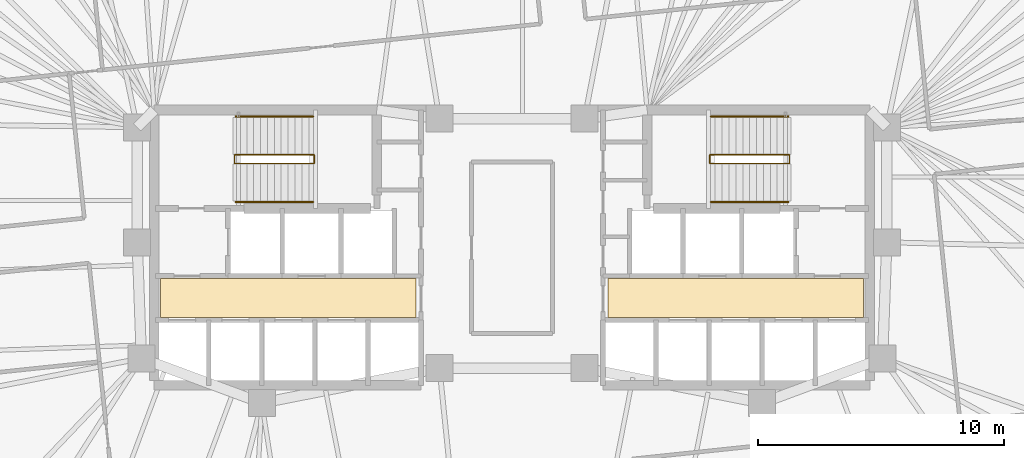
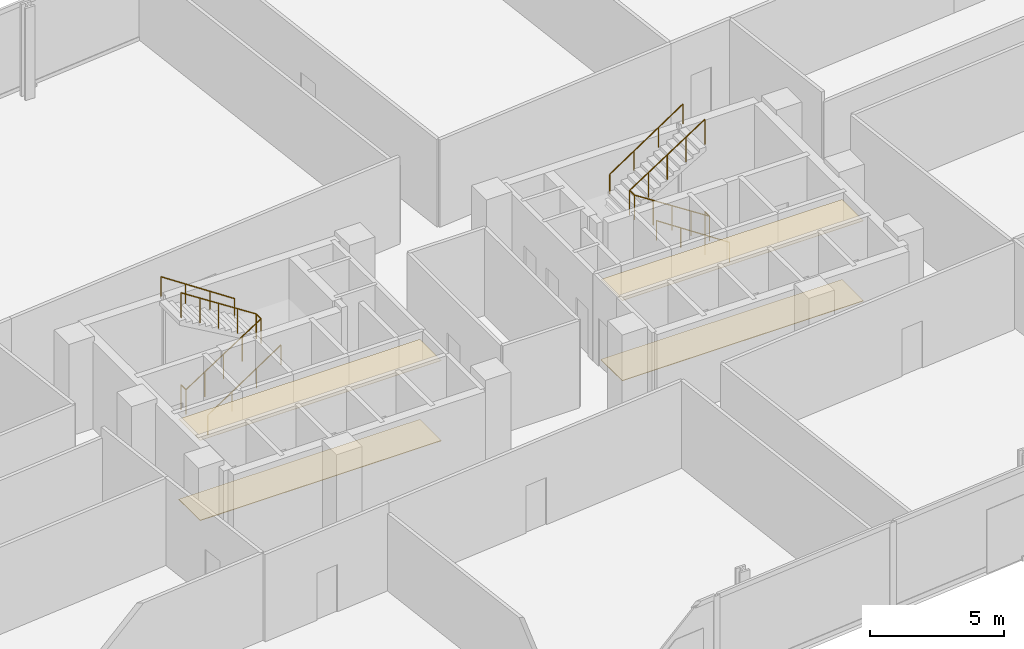
# One storey, part 16 of 16: 6 railings, 4 coverings.
"""IFC4 building model written with IfcOpenShell, lengths in metres."""

from ifc_helpers import new_model, si_unit, direction, frame, origin, origin_2d, place, context, subcontext, project, spatial, polyline, circle, outline, extrude, material, layer, layer_set, type_object, element, save


model = new_model("IFC4")

# Units and contexts
model_context = context("Model", 3, precision=1e-05, world=origin(), true_north=direction((0.0, 1.0)))
body_context = subcontext(model_context, "Body", "Model", "MODEL_VIEW")
ifc_project = project(units=[si_unit("LENGTHUNIT", "METRE"), si_unit("AREAUNIT", "SQUARE_METRE"), si_unit("VOLUMEUNIT", "CUBIC_METRE"), si_unit("PLANEANGLEUNIT", "RADIAN"), si_unit("MASSUNIT", "GRAM", prefix="KILO")], contexts=[model_context])

# Site, building, storey
site_placement = place(None, origin())
site = spatial("IfcSite", under=ifc_project, at=site_placement, CompositionType="ELEMENT")
building_placement = place(site_placement, origin())
building = spatial("IfcBuilding", under=site, at=building_placement, Name="Menara Jurai Vektor", CompositionType="ELEMENT")
storey_placement = place(building_placement, frame((0.0, 0.0, 83.199951171875)))
storey = spatial("IfcBuildingStorey", under=building, at=storey_placement, Name="L20", CompositionType="ELEMENT", Elevation=83.199951171875)

# Coverings
ifc_material_1 = material(Name="Mineral Fibre Acoustic Ceiling Tile", Category="gypsum")
ifc_layer_1 = layer(ifc_material_1, 0.02001953125)
ifc_layer_set_1 = layer_set([ifc_layer_1], Name="Mineral Fibre Acoustic Ceiling Tile")
covering_type_1 = type_object("IfcCoveringType", Name="COV-CEILING-ACOUSTIC", PredefinedType="CEILING", material=ifc_layer_set_1)
covering_1_placement = place(storey_placement, frame((0.0, 0.0, 3.655029296875)))
element("IfcCovering", 1, at=covering_1_placement, inside=storey, type_object=covering_type_1, Name="Acoustic Lift Lobby Ceiling W L20", PredefinedType="CEILING", context=body_context, shape_type="SweptSolid", body=[
    extrude(outline(polyline([(-14.300048828125, -2.85009765625), (-3.89990234375, -2.85009765625), (-3.89990234375, -1.25), (-14.300048828125, -1.25), (-14.300048828125, -2.85009765625)])), origin(), (0.0, 0.0, 1.0), 0.02001953125),
])
covering_2_placement = place(storey_placement, frame((0.0, 0.0, 3.655029296875)))
element("IfcCovering", 2, at=covering_2_placement, inside=storey, type_object=covering_type_1, Name="Acoustic Lift Lobby Ceiling E L20", PredefinedType="CEILING", context=body_context, shape_type="SweptSolid", body=[
    extrude(outline(polyline([(3.89990234375, -2.85009765625), (14.300048828125, -2.85009765625), (14.300048828125, -1.25), (3.89990234375, -1.25), (3.89990234375, -2.85009765625)])), origin(), (0.0, 0.0, 1.0), 0.02001953125),
])
ifc_material_2 = material(Name="Honed Granite Lobby Flooring", Category="masonry")
ifc_layer_2 = layer(ifc_material_2, 0.02490234375)
ifc_layer_set_2 = layer_set([ifc_layer_2], Name="Honed Granite Lobby Flooring")
covering_type_2 = type_object("IfcCoveringType", Name="COV-FLOOR-STONE", PredefinedType="FLOORING", material=ifc_layer_set_2)
covering_3_placement = place(storey_placement, origin())
element("IfcCovering", 3, at=covering_3_placement, inside=storey, type_object=covering_type_2, Name="Granite Lift Lobby Flooring W L20", PredefinedType="FLOORING", context=body_context, shape_type="SweptSolid", body=[
    extrude(outline(polyline([(-14.300048828125, -2.85009765625), (-3.89990234375, -2.85009765625), (-3.89990234375, -1.25), (-14.300048828125, -1.25), (-14.300048828125, -2.85009765625)])), origin(), (0.0, 0.0, 1.0), 0.025146484375),
])
covering_4_placement = place(storey_placement, origin())
element("IfcCovering", 4, at=covering_4_placement, inside=storey, type_object=covering_type_2, Name="Granite Lift Lobby Flooring E L20", PredefinedType="FLOORING", context=body_context, shape_type="SweptSolid", body=[
    extrude(outline(polyline([(3.89990234375, -2.85009765625), (14.300048828125, -2.85009765625), (14.300048828125, -1.25), (3.89990234375, -1.25), (3.89990234375, -2.85009765625)])), origin(), (0.0, 0.0, 1.0), 0.025146484375),
])

# Railings
ifc_material_3 = material(Name="Painted Galvanised Steel Balustrade", Category="steel")
railing_type_1 = type_object("IfcRailingType", Name="RAIL-STAIR-GUARD", PredefinedType="GUARDRAIL", material=ifc_material_3)
railing_1_placement = place(storey_placement, frame((-11.2900390625, 3.780029296875, 0.0)))
element("IfcRailing", 5, at=railing_1_placement, inside=storey, type_object=railing_type_1, Name="ST1 Stair Guardrail 1 L20", PredefinedType="GUARDRAIL", context=body_context, shape_type="SweptSolid", body=[
    extrude(circle(Radius=0.02392578125, at=origin_2d()), frame((0.0, 0.0, 1.1259765625), z_axis=(0.0, -1.0, 0.0), x_axis=(1.0, 0.0, 0.0)), (0.0, 0.0, 1.0), 0.360107421875),
    extrude(circle(Radius=0.02392578125, at=origin_2d()), frame((0.0, -0.360107421875, 1.1259765625), z_axis=(0.839140694364, 0.0, 0.543914418877), x_axis=(0.0, 1.0, 0.0)), (0.0, 0.0, 1.0), 3.861083984375),
    extrude(circle(Radius=0.02392578125, at=origin_2d()), frame((3.239990234375, -0.360107421875, 3.22607421875), z_axis=(0.0, 1.0, 0.0), x_axis=(-1.0, 0.0, 0.0)), (0.0, 0.0, 1.0), 0.360107421875),
    extrude(circle(Radius=0.02392578125, at=origin_2d()), frame((3.239990234375, 0.0, 3.22607421875), z_axis=(-0.839169554186, 0.0, 0.543869891911), x_axis=(0.0, -1.0, 0.0)), (0.0, 0.0, 1.0), 3.86083984375),
    extrude(circle(Radius=0.02099609375, at=origin_2d()), origin(), (0.0, 0.0, 1.0), 1.101806640625),
    extrude(circle(Radius=0.02099609375, at=origin_2d()), frame((0.0, -0.360107421875, 0.0)), (0.0, 0.0, 1.0), 1.101806640625),
    extrude(circle(Radius=0.02099609375, at=origin_2d()), frame((0.81005859375, -0.360107421875, 0.52490234375)), (0.0, 0.0, 1.0), 1.101806640625),
    extrude(circle(Radius=0.02099609375, at=origin_2d()), frame((1.6201171875, -0.360107421875, 1.050048828125)), (0.0, 0.0, 1.0), 1.101806640625),
    extrude(circle(Radius=0.02099609375, at=origin_2d()), frame((2.429931640625, -0.360107421875, 1.5751953125)), (0.0, 0.0, 1.0), 1.101806640625),
    extrude(circle(Radius=0.02099609375, at=origin_2d()), frame((3.239990234375, -0.360107421875, 2.10009765625)), (0.0, 0.0, 1.0), 1.101806640625),
    extrude(circle(Radius=0.02099609375, at=origin_2d()), frame((3.239990234375, 0.0, 2.10009765625)), (0.0, 0.0, 1.0), 1.101806640625),
    extrude(circle(Radius=0.02099609375, at=origin_2d()), frame((2.429931640625, 0.0, 2.625)), (0.0, 0.0, 1.0), 1.101806640625),
    extrude(circle(Radius=0.02099609375, at=origin_2d()), frame((1.6201171875, 0.0, 3.14990234375)), (0.0, 0.0, 1.0), 1.101806640625),
    extrude(circle(Radius=0.02099609375, at=origin_2d()), frame((0.81005859375, 0.0, 3.675048828125)), (0.0, 0.0, 1.0), 1.101806640625),
    extrude(circle(Radius=0.02099609375, at=origin_2d()), frame((0.0, 0.0, 4.199951171875)), (0.0, 0.0, 1.0), 1.101806640625),
])
railing_2_placement = place(storey_placement, frame((11.2900390625, 3.780029296875, 0.0)))
element("IfcRailing", 6, at=railing_2_placement, inside=storey, type_object=railing_type_1, Name="ST2 Stair Guardrail 1 L20", PredefinedType="GUARDRAIL", context=body_context, shape_type="SweptSolid", body=[
    extrude(circle(Radius=0.02392578125, at=origin_2d()), frame((0.0, 0.0, 1.1259765625), z_axis=(0.0, -1.0, 0.0), x_axis=(1.0, 0.0, 0.0)), (0.0, 0.0, 1.0), 0.360107421875),
    extrude(circle(Radius=0.02392578125, at=origin_2d()), frame((0.0, -0.360107421875, 1.1259765625), z_axis=(-0.839140694364, 0.0, 0.543914418877), x_axis=(0.0, -1.0, 0.0)), (0.0, 0.0, 1.0), 3.861083984375),
    extrude(circle(Radius=0.02392578125, at=origin_2d()), frame((-3.239990234375, -0.360107421875, 3.22607421875), z_axis=(0.0, 1.0, 0.0), x_axis=(-1.0, 0.0, 0.0)), (0.0, 0.0, 1.0), 0.360107421875),
    extrude(circle(Radius=0.02392578125, at=origin_2d()), frame((-3.239990234375, 0.0, 3.22607421875), z_axis=(0.839169554186, 0.0, 0.543869891911), x_axis=(0.0, 1.0, 0.0)), (0.0, 0.0, 1.0), 3.86083984375),
    extrude(circle(Radius=0.02099609375, at=origin_2d()), origin(), (0.0, 0.0, 1.0), 1.101806640625),
    extrude(circle(Radius=0.02099609375, at=origin_2d()), frame((0.0, -0.360107421875, 0.0)), (0.0, 0.0, 1.0), 1.101806640625),
    extrude(circle(Radius=0.02099609375, at=origin_2d()), frame((-0.81005859375, -0.360107421875, 0.52490234375)), (0.0, 0.0, 1.0), 1.101806640625),
    extrude(circle(Radius=0.02099609375, at=origin_2d()), frame((-1.6201171875, -0.360107421875, 1.050048828125)), (0.0, 0.0, 1.0), 1.101806640625),
    extrude(circle(Radius=0.02099609375, at=origin_2d()), frame((-2.429931640625, -0.360107421875, 1.5751953125)), (0.0, 0.0, 1.0), 1.101806640625),
    extrude(circle(Radius=0.02099609375, at=origin_2d()), frame((-3.239990234375, -0.360107421875, 2.10009765625)), (0.0, 0.0, 1.0), 1.101806640625),
    extrude(circle(Radius=0.02099609375, at=origin_2d()), frame((-3.239990234375, 0.0, 2.10009765625)), (0.0, 0.0, 1.0), 1.101806640625),
    extrude(circle(Radius=0.02099609375, at=origin_2d()), frame((-2.429931640625, 0.0, 2.625)), (0.0, 0.0, 1.0), 1.101806640625),
    extrude(circle(Radius=0.02099609375, at=origin_2d()), frame((-1.6201171875, 0.0, 3.14990234375)), (0.0, 0.0, 1.0), 1.101806640625),
    extrude(circle(Radius=0.02099609375, at=origin_2d()), frame((-0.81005859375, 0.0, 3.675048828125)), (0.0, 0.0, 1.0), 1.101806640625),
    extrude(circle(Radius=0.02099609375, at=origin_2d()), frame((0.0, 0.0, 4.199951171875)), (0.0, 0.0, 1.0), 1.101806640625),
])
ifc_material_4 = material(Name="Brushed Stainless Steel Handrail", Category="steel")
railing_type_2 = type_object("IfcRailingType", Name="RAIL-STAIR-HAND", PredefinedType="HANDRAIL", material=ifc_material_4)
railing_3_placement = place(storey_placement, frame((-11.25, 1.860107421875, 0.0)))
element("IfcRailing", 7, at=railing_3_placement, inside=storey, type_object=railing_type_2, Name="ST1 Stair Handrail 1 L20", PredefinedType="HANDRAIL", context=body_context, shape_type="SweptSolid", body=[
    extrude(circle(Radius=0.02392578125, at=origin_2d()), frame((0.0, 0.0, 0.89599609375), z_axis=(0.832841407661, 0.0, 0.553511688843), x_axis=(0.0, 1.0, 0.0)), (0.0, 0.0, 1.0), 3.794189453125),
    extrude(circle(Radius=0.02099609375, at=origin_2d()), origin(), (0.0, 0.0, 1.0), 0.871826171875),
    extrude(circle(Radius=0.02099609375, at=origin_2d()), frame((1.05322265625, 0.0, 0.699951171875)), (0.0, 0.0, 1.0), 0.871826171875),
    extrude(circle(Radius=0.02099609375, at=origin_2d()), frame((2.106689453125, 0.0, 1.400146484375)), (0.0, 0.0, 1.0), 0.871826171875),
    extrude(circle(Radius=0.02099609375, at=origin_2d()), frame((3.159912109375, 0.0, 2.10009765625)), (0.0, 0.0, 1.0), 0.871826171875),
])
railing_4_placement = place(storey_placement, frame((-8.090087890625, 5.340087890625, 2.10009765625)))
element("IfcRailing", 8, at=railing_4_placement, inside=storey, type_object=railing_type_2, Name="ST1 Stair Handrail 2 L20", PredefinedType="HANDRAIL", context=body_context, shape_type="SweptSolid", body=[
    extrude(circle(Radius=0.02392578125, at=origin_2d()), frame((0.0, 0.0, 0.89599609375), z_axis=(-0.832871070616, 0.0, 0.55346705388), x_axis=(0.0, -1.0, 0.0)), (0.0, 0.0, 1.0), 3.7939453125),
    extrude(circle(Radius=0.02099609375, at=origin_2d()), origin(), (0.0, 0.0, 1.0), 0.871826171875),
    extrude(circle(Radius=0.02099609375, at=origin_2d()), frame((-1.05322265625, 0.0, 0.699951171875)), (0.0, 0.0, 1.0), 0.871826171875),
    extrude(circle(Radius=0.02099609375, at=origin_2d()), frame((-2.106689453125, 0.0, 1.39990234375)), (0.0, 0.0, 1.0), 0.871826171875),
    extrude(circle(Radius=0.02099609375, at=origin_2d()), frame((-3.159912109375, 0.0, 2.099853515625)), (0.0, 0.0, 1.0), 0.871826171875),
])
railing_5_placement = place(storey_placement, frame((11.25, 1.860107421875, 0.0)))
element("IfcRailing", 9, at=railing_5_placement, inside=storey, type_object=railing_type_2, Name="ST2 Stair Handrail 1 L20", PredefinedType="HANDRAIL", context=body_context, shape_type="SweptSolid", body=[
    extrude(circle(Radius=0.02392578125, at=origin_2d()), frame((0.0, 0.0, 0.89599609375), z_axis=(-0.832841407661, 0.0, 0.553511688843), x_axis=(0.0, -1.0, 0.0)), (0.0, 0.0, 1.0), 3.794189453125),
    extrude(circle(Radius=0.02099609375, at=origin_2d()), origin(), (0.0, 0.0, 1.0), 0.871826171875),
    extrude(circle(Radius=0.02099609375, at=origin_2d()), frame((-1.05322265625, 0.0, 0.699951171875)), (0.0, 0.0, 1.0), 0.871826171875),
    extrude(circle(Radius=0.02099609375, at=origin_2d()), frame((-2.106689453125, 0.0, 1.400146484375)), (0.0, 0.0, 1.0), 0.871826171875),
    extrude(circle(Radius=0.02099609375, at=origin_2d()), frame((-3.159912109375, 0.0, 2.10009765625)), (0.0, 0.0, 1.0), 0.871826171875),
])
railing_6_placement = place(storey_placement, frame((8.090087890625, 5.340087890625, 2.10009765625)))
element("IfcRailing", 10, at=railing_6_placement, inside=storey, type_object=railing_type_2, Name="ST2 Stair Handrail 2 L20", PredefinedType="HANDRAIL", context=body_context, shape_type="SweptSolid", body=[
    extrude(circle(Radius=0.02392578125, at=origin_2d()), frame((0.0, 0.0, 0.89599609375), z_axis=(0.832871070616, 0.0, 0.55346705388), x_axis=(0.0, 1.0, 0.0)), (0.0, 0.0, 1.0), 3.7939453125),
    extrude(circle(Radius=0.02099609375, at=origin_2d()), origin(), (0.0, 0.0, 1.0), 0.871826171875),
    extrude(circle(Radius=0.02099609375, at=origin_2d()), frame((1.05322265625, 0.0, 0.699951171875)), (0.0, 0.0, 1.0), 0.871826171875),
    extrude(circle(Radius=0.02099609375, at=origin_2d()), frame((2.106689453125, 0.0, 1.39990234375)), (0.0, 0.0, 1.0), 0.871826171875),
    extrude(circle(Radius=0.02099609375, at=origin_2d()), frame((3.159912109375, 0.0, 2.099853515625)), (0.0, 0.0, 1.0), 0.871826171875),
])

save(model, "model.ifc")
